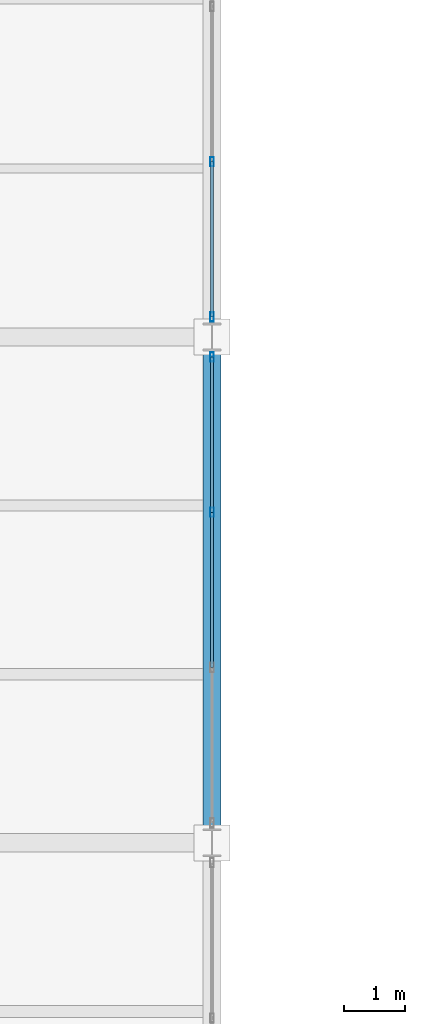
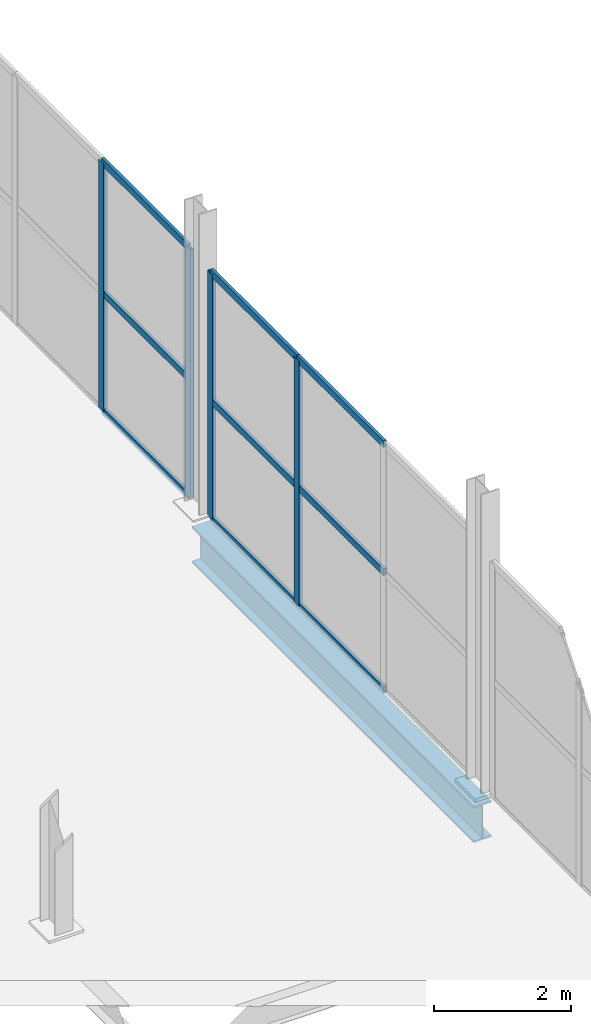
# One storey, part 84 of 147: 13 members, 1 beam, 2 elements without a shape of their own.
"""IFC4 building model written with IfcOpenShell, lengths in metres."""

from ifc_helpers import new_model, si_unit, direction, frame, origin, origin_2d, place, context, subcontext, project, spatial, hollow_rectangle, i_section, extrude, material, layer, layer_set, material_profile, profile_set, type_object, element, aggregate, save


model = new_model("IFC4")

# Units and contexts
model_context = context("Model", 3, precision=1e-05, world=origin(), true_north=direction((0.0, 1.0)))
body_context = subcontext(model_context, "Body", "Model", "MODEL_VIEW")
ifc_project = project(units=[si_unit("LENGTHUNIT", "METRE"), si_unit("AREAUNIT", "SQUARE_METRE"), si_unit("VOLUMEUNIT", "CUBIC_METRE"), si_unit("PLANEANGLEUNIT", "RADIAN"), si_unit("MASSUNIT", "GRAM", prefix="KILO")], contexts=[model_context])

# Site, building, storey
site_placement = place(None, origin())
site = spatial("IfcSite", under=ifc_project, at=site_placement, CompositionType="ELEMENT")
building_placement = place(site_placement, origin())
building = spatial("IfcBuilding", under=site, at=building_placement, Name="Sundgate Opera House", CompositionType="ELEMENT")
storey_placement = place(building_placement, frame((0.0, 0.0, 6.0)))
storey = spatial("IfcBuildingStorey", under=building, at=storey_placement, Name="L01", CompositionType="ELEMENT", Elevation=6.0)

# Beam
ifc_material_1 = material(Name="Steel S355J2", Category="steel")
ifc_material_profile_1 = material_profile(ifc_material_1, i_section(OverallWidth=0.300048828125, OverallDepth=0.64990234375, WebThickness=0.01611328125, FlangeThickness=0.031005859375, at=origin_2d()), Name="HEB 650")
ifc_profile_set_1 = profile_set([ifc_material_profile_1], Name="Steel S355J2")
beam_type = type_object("IfcBeamType", Name="BM-GR-HEB650", PredefinedType="BEAM", material=ifc_profile_set_1)
beam_placement = place(storey_placement, frame((160.199951171875, 16.5, -0.625), z_axis=(0.0, 1.0, 0.0), x_axis=(-1.0, 0.0, 0.0)))
element("IfcBeam", 1, at=beam_placement, inside=storey, type_object=beam_type, Name="L01 Primary N-S Girder B1249", PredefinedType="BEAM", context=body_context, shape_type="SweptSolid", body=[
    extrude(i_section(OverallWidth=0.300048828125, OverallDepth=0.64990234375, WebThickness=0.01611328125, FlangeThickness=0.031005859375, at=origin_2d()), origin(), (0.0, 0.0, 1.0), 8.25),
])

# Curtain wall, members
ifc_material_2 = material(Name="Anodized aluminium and low-iron glass", Category="aluminium")
ifc_layer = layer(ifc_material_2, 0.14990234375)
ifc_layer_set = layer_set([ifc_layer], Name="Anodized aluminium and low-iron glass")
curtain_wall_type = type_object("IfcCurtainWallType", Name="CW-WORKSHOP-DARK", PredefinedType="NOTDEFINED", material=ifc_layer_set)
curtain_wall_1_placement = place(storey_placement, origin())
curtain_wall_1 = element("IfcCurtainWall", 2, at=curtain_wall_1_placement, inside=storey, type_object=curtain_wall_type, Name="L01 Curtain Wall CW150", PredefinedType="NOTDEFINED")
ifc_material_3 = material(Name="Anodized aluminium EN AW-6063", Category="aluminium")
ifc_material_profile_2 = material_profile(ifc_material_3, hollow_rectangle(XDim=0.06005859375, YDim=0.14990234375, WallThickness=0.00390625, at=origin_2d()), Name="CWM 150x60x4")
ifc_profile_set_2 = profile_set([ifc_material_profile_2], Name="Anodized aluminium EN AW-6063")
member_type_1 = type_object("IfcMemberType", Name="CWM-ALU-150x60", PredefinedType="MULLION", material=ifc_profile_set_2)
member_1_placement = place(storey_placement, frame((160.199951171875, 21.8916015625, 0.0), z_axis=(0.0, 0.0, 1.0), x_axis=(1.0, 0.0, 0.0)))
member_1 = element("IfcMember", 3, at=member_1_placement, type_object=member_type_1, Name="CW150 Mullion 3", PredefinedType="MULLION", context=body_context, shape_type="SweptSolid", body=[
    extrude(hollow_rectangle(XDim=0.06005859375, YDim=0.14990234375, WallThickness=0.00390625, at=origin_2d()), origin(), (0.0, 0.0, 1.0), 4.385009765625),
])
member_2_placement = place(storey_placement, frame((160.199951171875, 24.425048828125, 0.0), z_axis=(0.0, 0.0, 1.0), x_axis=(1.0, 0.0, 0.0)))
member_2 = element("IfcMember", 4, at=member_2_placement, type_object=member_type_1, Name="CW150 Mullion 4", PredefinedType="MULLION", context=body_context, shape_type="SweptSolid", body=[
    extrude(hollow_rectangle(XDim=0.06005859375, YDim=0.14990234375, WallThickness=0.00390625, at=origin_2d()), origin(), (0.0, 0.0, 1.0), 4.385009765625),
])

curtain_wall_2_placement = place(storey_placement, origin())
curtain_wall_2 = element("IfcCurtainWall", 5, at=curtain_wall_2_placement, inside=storey, type_object=curtain_wall_type, Name="L01 Curtain Wall CW151", PredefinedType="NOTDEFINED")
member_3_placement = place(storey_placement, frame((160.199951171875, 25.074951171875, 0.0), z_axis=(0.0, 0.0, 1.0), x_axis=(1.0, 0.0, 0.0)))
member_3 = element("IfcMember", 6, at=member_3_placement, type_object=member_type_1, Name="CW151 Mullion 1", PredefinedType="MULLION", context=body_context, shape_type="SweptSolid", body=[
    extrude(hollow_rectangle(XDim=0.06005859375, YDim=0.14990234375, WallThickness=0.00390625, at=origin_2d()), origin(), (0.0, 0.0, 1.0), 4.43505859375),
])
member_4_placement = place(storey_placement, frame((160.199951171875, 27.6083984375, 0.0), z_axis=(0.0, 0.0, 1.0), x_axis=(1.0, 0.0, 0.0)))
member_4 = element("IfcMember", 7, at=member_4_placement, type_object=member_type_1, Name="CW151 Mullion 2", PredefinedType="MULLION", context=body_context, shape_type="SweptSolid", body=[
    extrude(hollow_rectangle(XDim=0.06005859375, YDim=0.14990234375, WallThickness=0.00390625, at=origin_2d()), origin(), (0.0, 0.0, 1.0), 4.43505859375),
])

# Member
ifc_material_4 = material(Name="Anodized aluminium EN AW-6063", Category="aluminium")
ifc_material_profile_3 = material_profile(ifc_material_4, hollow_rectangle(XDim=0.054931640625, YDim=0.1201171875, WallThickness=0.00390625, at=origin_2d()), Name="CWT 120x55x4")
ifc_profile_set_3 = profile_set([ifc_material_profile_3], Name="Anodized aluminium EN AW-6063")
member_type_2 = type_object("IfcMemberType", Name="CWT-ALU-120x55", PredefinedType="USERDEFINED", material=ifc_profile_set_3)
member_5_placement = place(storey_placement, frame((160.199951171875, 19.3583984375, 0.0), z_axis=(0.0, 1.0, 0.0), x_axis=(-1.0, 0.0, 0.0)))
member_5 = element("IfcMember", 8, at=member_5_placement, type_object=member_type_2, Name="CW150 Transom 4", ObjectType="TRANSOM", PredefinedType="USERDEFINED", context=body_context, shape_type="SweptSolid", body=[
    extrude(hollow_rectangle(XDim=0.054931640625, YDim=0.1201171875, WallThickness=0.00390625, at=origin_2d()), origin(), (0.0, 0.0, 1.0), 2.533203125),
])

member_6_placement = place(storey_placement, frame((160.199951171875, 19.3583984375, 2.10009765625), z_axis=(0.0, 1.0, 0.0), x_axis=(-1.0, 0.0, 0.0)))
member_6 = element("IfcMember", 9, at=member_6_placement, type_object=member_type_2, Name="CW150 Transom 5", ObjectType="TRANSOM", PredefinedType="USERDEFINED", context=body_context, shape_type="SweptSolid", body=[
    extrude(hollow_rectangle(XDim=0.054931640625, YDim=0.1201171875, WallThickness=0.00390625, at=origin_2d()), origin(), (0.0, 0.0, 1.0), 2.533203125),
])

member_7_placement = place(storey_placement, frame((160.199951171875, 19.3583984375, 4.385009765625), z_axis=(0.0, 1.0, 0.0), x_axis=(-1.0, 0.0, 0.0)))
member_7 = element("IfcMember", 10, at=member_7_placement, type_object=member_type_2, Name="CW150 Transom 6", ObjectType="TRANSOM", PredefinedType="USERDEFINED", context=body_context, shape_type="SweptSolid", body=[
    extrude(hollow_rectangle(XDim=0.054931640625, YDim=0.1201171875, WallThickness=0.00390625, at=origin_2d()), origin(), (0.0, 0.0, 1.0), 2.533203125),
])

member_8_placement = place(storey_placement, frame((160.199951171875, 21.8916015625, 0.0), z_axis=(0.0, 1.0, 0.0), x_axis=(-1.0, 0.0, 0.0)))
member_8 = element("IfcMember", 11, at=member_8_placement, type_object=member_type_2, Name="CW150 Transom 7", ObjectType="TRANSOM", PredefinedType="USERDEFINED", context=body_context, shape_type="SweptSolid", body=[
    extrude(hollow_rectangle(XDim=0.054931640625, YDim=0.1201171875, WallThickness=0.00390625, at=origin_2d()), origin(), (0.0, 0.0, 1.0), 2.533447265625),
])

member_9_placement = place(storey_placement, frame((160.199951171875, 21.8916015625, 2.10009765625), z_axis=(0.0, 1.0, 0.0), x_axis=(-1.0, 0.0, 0.0)))
member_9 = element("IfcMember", 12, at=member_9_placement, type_object=member_type_2, Name="CW150 Transom 8", ObjectType="TRANSOM", PredefinedType="USERDEFINED", context=body_context, shape_type="SweptSolid", body=[
    extrude(hollow_rectangle(XDim=0.054931640625, YDim=0.1201171875, WallThickness=0.00390625, at=origin_2d()), origin(), (0.0, 0.0, 1.0), 2.533447265625),
])

member_10_placement = place(storey_placement, frame((160.199951171875, 21.8916015625, 4.385009765625), z_axis=(0.0, 1.0, 0.0), x_axis=(-1.0, 0.0, 0.0)))
member_10 = element("IfcMember", 13, at=member_10_placement, type_object=member_type_2, Name="CW150 Transom 9", ObjectType="TRANSOM", PredefinedType="USERDEFINED", context=body_context, shape_type="SweptSolid", body=[
    extrude(hollow_rectangle(XDim=0.054931640625, YDim=0.1201171875, WallThickness=0.00390625, at=origin_2d()), origin(), (0.0, 0.0, 1.0), 2.533447265625),
])

aggregate(curtain_wall_1, [member_1, member_2, member_5, member_6, member_7, member_8, member_9, member_10])

member_11_placement = place(storey_placement, frame((160.199951171875, 25.074951171875, 0.0), z_axis=(0.0, 1.0, 0.0), x_axis=(-1.0, 0.0, 0.0)))
member_11 = element("IfcMember", 14, at=member_11_placement, type_object=member_type_2, Name="CW151 Transom 1", ObjectType="TRANSOM", PredefinedType="USERDEFINED", context=body_context, shape_type="SweptSolid", body=[
    extrude(hollow_rectangle(XDim=0.054931640625, YDim=0.1201171875, WallThickness=0.00390625, at=origin_2d()), origin(), (0.0, 0.0, 1.0), 2.533447265625),
])

member_12_placement = place(storey_placement, frame((160.199951171875, 25.074951171875, 2.10009765625), z_axis=(0.0, 1.0, 0.0), x_axis=(-1.0, 0.0, 0.0)))
member_12 = element("IfcMember", 15, at=member_12_placement, type_object=member_type_2, Name="CW151 Transom 2", ObjectType="TRANSOM", PredefinedType="USERDEFINED", context=body_context, shape_type="SweptSolid", body=[
    extrude(hollow_rectangle(XDim=0.054931640625, YDim=0.1201171875, WallThickness=0.00390625, at=origin_2d()), origin(), (0.0, 0.0, 1.0), 2.533447265625),
])

member_13_placement = place(storey_placement, frame((160.199951171875, 25.074951171875, 4.43505859375), z_axis=(0.0, 1.0, 0.0), x_axis=(-1.0, 0.0, 0.0)))
member_13 = element("IfcMember", 16, at=member_13_placement, type_object=member_type_2, Name="CW151 Transom 3", ObjectType="TRANSOM", PredefinedType="USERDEFINED", context=body_context, shape_type="SweptSolid", body=[
    extrude(hollow_rectangle(XDim=0.054931640625, YDim=0.1201171875, WallThickness=0.00390625, at=origin_2d()), origin(), (0.0, 0.0, 1.0), 2.533447265625),
])

aggregate(curtain_wall_2, [member_3, member_4, member_11, member_12, member_13])

save(model, "model.ifc")
